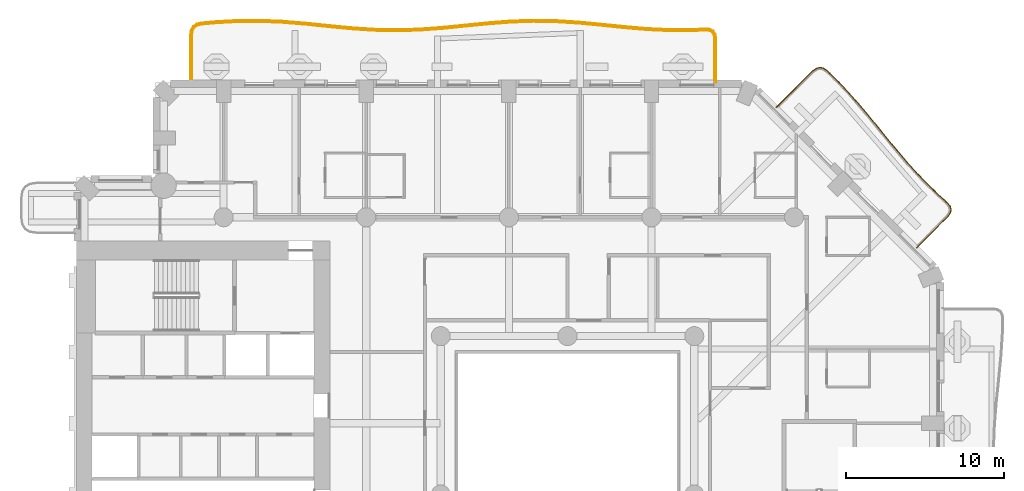
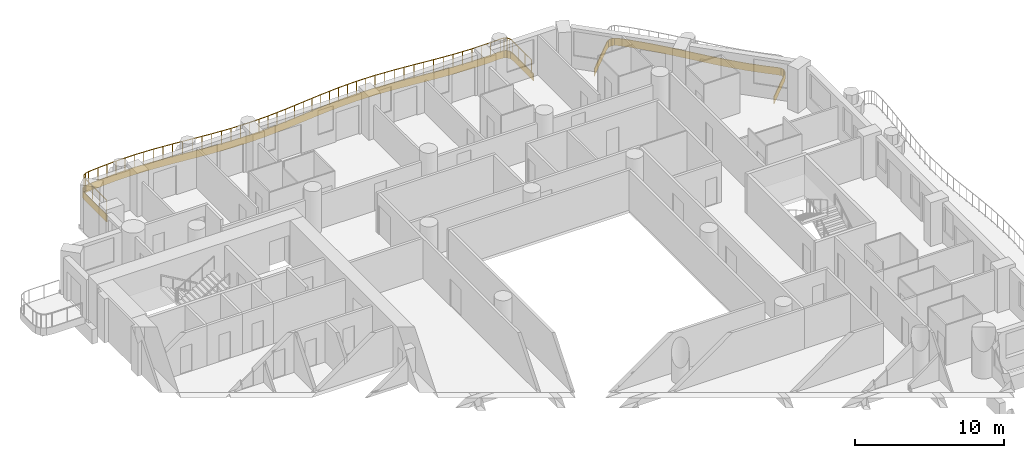
# One storey, part 18 of 20: 2 coverings, 1 railing.
"""IFC4 building model written with IfcOpenShell, lengths in metres."""

from ifc_helpers import new_model, si_unit, direction, frame, origin, origin_2d, place, context, subcontext, project, spatial, polyline, rectangle, outline, extrude, material, layer, layer_set, type_object, element, save


model = new_model("IFC4")

# Units and contexts
model_context = context("Model", 3, precision=1e-05, world=origin(), true_north=direction((0.0, 1.0)))
body_context = subcontext(model_context, "Body", "Model", "MODEL_VIEW")
ifc_project = project(units=[si_unit("LENGTHUNIT", "METRE"), si_unit("AREAUNIT", "SQUARE_METRE"), si_unit("VOLUMEUNIT", "CUBIC_METRE"), si_unit("PLANEANGLEUNIT", "RADIAN"), si_unit("MASSUNIT", "GRAM", prefix="KILO")], contexts=[model_context])

# Site, building, storey
site_placement = place(None, origin())
site = spatial("IfcSite", under=ifc_project, at=site_placement, CompositionType="ELEMENT")
building_placement = place(site_placement, origin())
building = spatial("IfcBuilding", under=site, at=building_placement, Name="Cypress Arch Tower", CompositionType="ELEMENT")
storey_placement = place(building_placement, frame((0.0, 0.0, 84.300048828125)))
storey = spatial("IfcBuildingStorey", under=building, at=storey_placement, Name="L15", CompositionType="ELEMENT", Elevation=84.300048828125)

# Coverings
ifc_material_1 = material(Name="White powder-coated aluminium fascia", Category="aluminium")
ifc_layer = layer(ifc_material_1, 0.050048828125)
ifc_layer_set = layer_set([ifc_layer], Name="Balcony fascia BF50")
covering_type = type_object("IfcCoveringType", Name="Balcony fascia BF50", PredefinedType="CLADDING", material=ifc_layer_set)
covering_1_placement = place(storey_placement, frame((0.0, 0.0, -0.60009765625)))
element("IfcCovering", 1, at=covering_1_placement, inside=storey, type_object=covering_type, Name="Balcony fascia L15-A07", PredefinedType="CLADDING", context=body_context, shape_type="SweptSolid", body=[
    extrude(outline(polyline([(16.455810546875, 26.74462890625), (16.687744140625, 26.918701171875), (16.931396484375, 26.98095703125), (17.176025390625, 26.92333984375), (17.4111328125, 26.753662109375), (17.963623046875, 26.2216796875), (18.9150390625, 25.21044921875), (19.82421875, 24.157470703125), (20.70751953125, 23.080322265625), (21.587158203125, 22.0009765625), (22.48583984375, 20.942138671875), (23.42236328125, 19.922119140625), (24.406494140625, 18.9501953125), (24.97607421875, 18.438720703125), (25.16064453125, 18.2177734375), (25.229736328125, 17.98193359375), (25.173583984375, 17.74267578125), (25.0009765625, 17.51220703125), (23.045166015625, 15.556396484375), (23.009765625, 15.591796875), (24.963134765625, 17.544921875), (25.127197265625, 17.764404296875), (25.177978515625, 17.98046875), (25.11572265625, 18.193603515625), (24.93994140625, 18.40380859375), (24.372314453125, 18.913818359375), (23.386474609375, 19.887451171875), (22.448486328125, 20.9091796875), (21.548583984375, 21.968994140625), (20.6689453125, 23.048583984375), (19.7861328125, 24.12548828125), (18.8779296875, 25.1767578125), (17.92822265625, 26.1865234375), (17.37890625, 26.71533203125), (17.15478515625, 26.876953125), (16.931884765625, 26.929443359375), (16.709716796875, 26.872802734375), (16.48876953125, 26.706787109375), (14.191650390625, 24.40966796875), (14.15625, 24.445068359375), (16.455810546875, 26.74462890625)])), origin(), (0.0, 0.0, 1.0), 0.60009765625),
])
covering_2_placement = place(storey_placement, frame((0.0, 0.0, -0.60009765625)))
element("IfcCovering", 2, at=covering_2_placement, inside=storey, type_object=covering_type, Name="Balcony fascia L15-A08", PredefinedType="CLADDING", context=body_context, shape_type="SweptSolid", body=[
    extrude(outline(polyline([(-22.800048828125, 29.020751953125), (-22.7578125, 29.32177734375), (-22.6259765625, 29.554443359375), (-22.406494140625, 29.706787109375), (-22.1103515625, 29.776611328125), (-21.314697265625, 29.849853515625), (-19.873291015625, 29.932861328125), (-18.431884765625, 29.946044921875), (-16.990478515625, 29.885986328125), (-15.5498046875, 29.767333984375), (-14.1103515625, 29.619873046875), (-12.671875, 29.47998046875), (-11.234619140625, 29.382080078125), (-9.798095703125, 29.35009765625), (-8.361328125, 29.392333984375), (-6.923828125, 29.498046875), (-5.4853515625, 29.641357421875), (-4.045654296875, 29.786865234375), (-2.60498046875, 29.8984375), (-1.16357421875, 29.94873046875), (0.278076171875, 29.925048828125), (1.71923828125, 29.833251953125), (3.1591796875, 29.6962890625), (4.59814453125, 29.5478515625), (6.035888671875, 29.4248046875), (7.472900390625, 29.357177734375), (8.909423828125, 29.36181640625), (9.703369140625, 29.40380859375), (10.00048828125, 29.376953125), (10.2236328125, 29.254638671875), (10.357421875, 29.038330078125), (10.39990234375, 28.742919921875), (10.39990234375, 26.0009765625), (10.35009765625, 26.0009765625), (10.35009765625, 28.7392578125), (10.3095703125, 29.02099609375), (10.18798828125, 29.21728515625), (9.98583984375, 29.328125), (9.702392578125, 29.353759765625), (8.910888671875, 29.31201171875), (7.4716796875, 29.30712890625), (6.03271484375, 29.374755859375), (4.593505859375, 29.498046875), (3.154296875, 29.646484375), (1.71533203125, 29.783447265625), (0.276123046875, 29.875), (-1.1630859375, 29.898681640625), (-2.602294921875, 29.8486328125), (-4.041259765625, 29.737060546875), (-5.48046875, 29.591552734375), (-6.919677734375, 29.4482421875), (-8.358642578125, 29.34228515625), (-9.7978515625, 29.30029296875), (-11.237060546875, 29.33203125), (-12.676025390625, 29.43017578125), (-14.115234375, 29.5703125), (-15.554443359375, 29.717529296875), (-16.993408203125, 29.8359375), (-18.4326171875, 29.89599609375), (-19.871826171875, 29.8828125), (-21.310791015625, 29.7998046875), (-22.102294921875, 29.72705078125), (-22.3857421875, 29.660400390625), (-22.588134765625, 29.519775390625), (-22.70947265625, 29.305419921875), (-22.75, 29.01708984375), (-22.75, 26.0009765625), (-22.800048828125, 26.0009765625), (-22.800048828125, 29.020751953125)])), origin(), (0.0, 0.0, 1.0), 0.60009765625),
])

# Railing
ifc_material_2 = material(Name="Powder-coated steel posts and rods, 100 mm clear between rods", Category="steel")
railing_type = type_object("IfcRailingType", Name="Balcony guard GR1100", PredefinedType="GUARDRAIL", material=ifc_material_2)
railing_placement = place(storey_placement, frame((-22.699951171875, 26.14990234375, 0.0)))
element("IfcRailing", 3, at=railing_placement, inside=storey, type_object=railing_type, Name="Balcony guard L15-A08", PredefinedType="GUARDRAIL", context=body_context, shape_type="SweptSolid", body=[
    extrude(rectangle(XDim=0.050048828125, YDim=0.050048828125, at=origin_2d()), frame((0.0, 0.0, 1.0751953125), z_axis=(0.0, 1.0, 0.0), x_axis=(-1.0, 0.0, 0.0)), (0.0, 0.0, 1.0), 2.86376953125),
    extrude(rectangle(XDim=0.050048828125, YDim=0.050048828125, at=origin_2d()), frame((0.0, 2.86376953125, 1.0751953125), z_axis=(0.13871673035, 0.990332100217, 0.0), x_axis=(-0.990332100217, 0.13871673035, 0.0)), (0.0, 0.0, 1.0), 0.278076171875),
    extrude(rectangle(XDim=0.050048828125, YDim=0.050048828125, at=origin_2d()), frame((0.03857421875, 3.13916015625, 1.0751953125), z_axis=(0.492520878241, 0.870300628804, 0.0), x_axis=(-0.870300628804, 0.492520878241, 0.0)), (0.0, 0.0, 1.0), 0.2255859375),
    extrude(rectangle(XDim=0.050048828125, YDim=0.050048828125, at=origin_2d()), frame((0.149658203125, 3.33544921875, 1.0751953125), z_axis=(0.821919206985, 0.569604088108, 0.0), x_axis=(-0.569604088108, 0.821919206985, 0.0)), (0.0, 0.0, 1.0), 0.225341796875),
    extrude(rectangle(XDim=0.050048828125, YDim=0.050048828125, at=origin_2d()), frame((0.3349609375, 3.4638671875, 1.0751953125), z_axis=(0.973405655855, 0.229088256247, 0.0), x_axis=(-0.229088256247, 0.973405655855, 0.0)), (0.0, 0.0, 1.0), 0.278076171875),
    extrude(rectangle(XDim=0.050048828125, YDim=0.050048828125, at=origin_2d()), frame((0.605712890625, 3.527587890625, 1.0751953125), z_axis=(0.995783623955, 0.091733168832, 0.0), x_axis=(-0.091733168832, 0.995783623955, 0.0)), (0.0, 0.0, 1.0), 0.79052734375),
    extrude(rectangle(XDim=0.050048828125, YDim=0.050048828125, at=origin_2d()), frame((1.392822265625, 3.60009765625, 1.0751953125), z_axis=(0.998335812911, 0.057668055792, 0.0), x_axis=(-0.057668055792, 0.998335812911, 0.0)), (0.0, 0.0, 1.0), 1.439453125),
    extrude(rectangle(XDim=0.050048828125, YDim=0.050048828125, at=origin_2d()), frame((2.829833984375, 3.68310546875, 1.0751953125), z_axis=(0.999959448923, 0.009005582123, 0.0), x_axis=(-0.009005582123, 0.999959448923, 0.0)), (0.0, 0.0, 1.0), 1.436767578125),
    extrude(rectangle(XDim=0.050048828125, YDim=0.050048828125, at=origin_2d()), frame((4.2666015625, 3.696044921875, 1.0751953125), z_axis=(0.999134543668, -0.041595235888, 0.0), x_axis=(0.041595235888, 0.999134543668, 0.0)), (0.0, 0.0, 1.0), 1.43798828125),
    extrude(rectangle(XDim=0.050048828125, YDim=0.050048828125, at=origin_2d()), frame((5.703369140625, 3.63623046875, 1.0751953125), z_axis=(0.996639652068, -0.081910951197, 0.0), x_axis=(0.081910951197, 0.996639652068, 0.0)), (0.0, 0.0, 1.0), 1.442626953125),
    extrude(rectangle(XDim=0.050048828125, YDim=0.050048828125, at=origin_2d()), frame((7.14111328125, 3.51806640625, 1.0751953125), z_axis=(0.994788465361, -0.101960331423, 0.0), x_axis=(0.101960331423, 0.994788465361, 0.0)), (0.0, 0.0, 1.0), 1.4462890625),
    extrude(rectangle(XDim=0.050048828125, YDim=0.050048828125, at=origin_2d()), frame((8.579833984375, 3.37060546875, 1.0751953125), z_axis=(0.995297676193, -0.096863490359, 0.0), x_axis=(0.096863490359, 0.995297676193, 0.0)), (0.0, 0.0, 1.0), 1.44677734375),
    extrude(rectangle(XDim=0.050048828125, YDim=0.050048828125, at=origin_2d()), frame((10.019775390625, 3.23046875, 1.0751953125), z_axis=(0.997688383516, -0.067955054248, 0.0), x_axis=(0.067955054248, 0.997688383516, 0.0)), (0.0, 0.0, 1.0), 1.4443359375),
    extrude(rectangle(XDim=0.050048828125, YDim=0.050048828125, at=origin_2d()), frame((11.460693359375, 3.13232421875, 1.0751953125), z_axis=(0.999754012792, -0.022179132206, 0.0), x_axis=(0.022179132206, 0.999754012792, 0.0)), (0.0, 0.0, 1.0), 1.44189453125),
    extrude(rectangle(XDim=0.050048828125, YDim=0.050048828125, at=origin_2d()), frame((12.90234375, 3.100341796875, 1.0751953125), z_axis=(0.999570967736, 0.029289596446, 0.0), x_axis=(-0.029289596446, 0.999570967736, 0.0)), (0.0, 0.0, 1.0), 1.442138671875),
    extrude(rectangle(XDim=0.050048828125, YDim=0.050048828125, at=origin_2d()), frame((14.34375, 3.142578125, 1.0751953125), z_axis=(0.997307261807, 0.073336386246, 0.0), x_axis=(-0.073336386246, 0.997307261807, 0.0)), (0.0, 0.0, 1.0), 1.44482421875),
    extrude(rectangle(XDim=0.050048828125, YDim=0.050048828125, at=origin_2d()), frame((15.78466796875, 3.24853515625, 1.0751953125), z_axis=(0.995083852887, 0.099035981968, 0.0), x_axis=(-0.099035981968, 0.995083852887, 0.0)), (0.0, 0.0, 1.0), 1.447021484375),
    extrude(rectangle(XDim=0.050048828125, YDim=0.050048828125, at=origin_2d()), frame((17.224609375, 3.391845703125, 1.0751953125), z_axis=(0.994922852849, 0.100640532977, 0.0), x_axis=(-0.100640532977, 0.994922852849, 0.0)), (0.0, 0.0, 1.0), 1.44580078125),
    extrude(rectangle(XDim=0.050048828125, YDim=0.050048828125, at=origin_2d()), frame((18.6630859375, 3.537353515625, 1.0751953125), z_axis=(0.997014508637, 0.077214438848, 0.0), x_axis=(-0.077214438848, 0.997014508637, 0.0)), (0.0, 0.0, 1.0), 1.44189453125),
    extrude(rectangle(XDim=0.050048828125, YDim=0.050048828125, at=origin_2d()), frame((20.1005859375, 3.648681640625, 1.0751953125), z_axis=(0.999393836513, 0.034813209258, 0.0), x_axis=(-0.034813209258, 0.999393836513, 0.0)), (0.0, 0.0, 1.0), 1.437744140625),
    extrude(rectangle(XDim=0.050048828125, YDim=0.050048828125, at=origin_2d()), frame((21.537353515625, 3.69873046875, 1.0751953125), z_axis=(0.999866975121, -0.016310489314, 0.0), x_axis=(0.016310489314, 0.999866975121, 0.0)), (0.0, 0.0, 1.0), 1.43701171875),
    extrude(rectangle(XDim=0.050048828125, YDim=0.050048828125, at=origin_2d()), frame((22.97412109375, 3.67529296875, 1.0751953125), z_axis=(0.997976643693, -0.063581590449, 0.0), x_axis=(0.063581590449, 0.997976643693, 0.0)), (0.0, 0.0, 1.0), 1.43994140625),
    extrude(rectangle(XDim=0.050048828125, YDim=0.050048828125, at=origin_2d()), frame((24.4111328125, 3.583740234375, 1.0751953125), z_axis=(0.995496232049, -0.094801118007, 0.0), x_axis=(0.094801118007, 0.995496232049, 0.0)), (0.0, 0.0, 1.0), 1.44482421875),
    extrude(rectangle(XDim=0.050048828125, YDim=0.050048828125, at=origin_2d()), frame((25.849365234375, 3.44677734375, 1.0751953125), z_axis=(0.994725087, -0.102576806801, 0.0), x_axis=(0.102576806801, 0.994725087, 0.0)), (0.0, 0.0, 1.0), 1.447021484375),
    extrude(rectangle(XDim=0.050048828125, YDim=0.050048828125, at=origin_2d()), frame((27.288818359375, 3.29833984375, 1.0751953125), z_axis=(0.996356905666, -0.085281396163, 0.0), x_axis=(0.085281396163, 0.996356905666, 0.0)), (0.0, 0.0, 1.0), 1.44580078125),
    extrude(rectangle(XDim=0.050048828125, YDim=0.050048828125, at=origin_2d()), frame((28.729248046875, 3.175048828125, 1.0751953125), z_axis=(0.998893260383, -0.047034608128, 0.0), x_axis=(0.047034608128, 0.998893260383, 0.0)), (0.0, 0.0, 1.0), 1.443115234375),
    extrude(rectangle(XDim=0.050048828125, YDim=0.050048828125, at=origin_2d()), frame((30.170654296875, 3.107177734375, 1.0751953125), z_axis=(0.9999942643, 0.003386940777, 0.0), x_axis=(-0.003386940777, 0.9999942643, 0.0)), (0.0, 0.0, 1.0), 1.441650390625),
    extrude(rectangle(XDim=0.050048828125, YDim=0.050048828125, at=origin_2d()), frame((31.6123046875, 3.112060546875, 1.0751953125), z_axis=(0.998619535871, 0.052526398855, 0.0), x_axis=(-0.052526398855, 0.998619535871, 0.0)), (0.0, 0.0, 1.0), 0.7900390625),
    extrude(rectangle(XDim=0.050048828125, YDim=0.050048828125, at=origin_2d()), frame((32.4013671875, 3.153564453125, 1.0751953125), z_axis=(0.996003382405, -0.089315520705, 0.0), x_axis=(0.089315520705, 0.996003382405, 0.0)), (0.0, 0.0, 1.0), 0.2705078125),
    extrude(rectangle(XDim=0.050048828125, YDim=0.050048828125, at=origin_2d()), frame((32.6708984375, 3.12939453125, 1.0751953125), z_axis=(0.876812408671, -0.480832611207, 0.0), x_axis=(0.480832611207, 0.876812408671, 0.0)), (0.0, 0.0, 1.0), 0.207275390625),
    extrude(rectangle(XDim=0.050048828125, YDim=0.050048828125, at=origin_2d()), frame((32.8525390625, 3.02978515625, 1.0751953125), z_axis=(0.525543053659, -0.850767006148, 0.0), x_axis=(0.850767006148, 0.525543053659, 0.0)), (0.0, 0.0, 1.0), 0.207275390625),
    extrude(rectangle(XDim=0.050048828125, YDim=0.050048828125, at=origin_2d()), frame((32.96142578125, 2.853515625, 1.0751953125), z_axis=(0.142685543184, -0.989768071705, 0.0), x_axis=(0.989768071705, 0.142685543184, 0.0)), (0.0, 0.0, 1.0), 0.270263671875),
    extrude(rectangle(XDim=0.050048828125, YDim=0.050048828125, at=origin_2d()), frame((33.0, 2.5859375, 1.0751953125), z_axis=(0.0, -1.0, 0.0), x_axis=(1.0, 0.0, 0.0)), (0.0, 0.0, 1.0), 2.5859375),
    extrude(rectangle(XDim=0.0400390625, YDim=0.0400390625, at=origin_2d()), origin(), (0.0, 0.0, 1.0), 1.050048828125),
    extrude(rectangle(XDim=0.0400390625, YDim=0.0400390625, at=origin_2d()), frame((0.0, 0.95458984375, 0.0)), (0.0, 0.0, 1.0), 1.050048828125),
    extrude(rectangle(XDim=0.0400390625, YDim=0.0400390625, at=origin_2d()), frame((0.0, 1.9091796875, 0.0)), (0.0, 0.0, 1.0), 1.050048828125),
    extrude(rectangle(XDim=0.0400390625, YDim=0.0400390625, at=origin_2d()), frame((0.0, 2.86376953125, 0.0)), (0.0, 0.0, 1.0), 1.050048828125),
    extrude(rectangle(XDim=0.0400390625, YDim=0.0400390625, at=origin_2d()), frame((0.03857421875, 3.13916015625, 0.0)), (0.0, 0.0, 1.0), 1.050048828125),
    extrude(rectangle(XDim=0.0400390625, YDim=0.0400390625, at=origin_2d()), frame((0.149658203125, 3.33544921875, 0.0)), (0.0, 0.0, 1.0), 1.050048828125),
    extrude(rectangle(XDim=0.0400390625, YDim=0.0400390625, at=origin_2d()), frame((0.3349609375, 3.4638671875, 0.0)), (0.0, 0.0, 1.0), 1.050048828125),
    extrude(rectangle(XDim=0.0400390625, YDim=0.0400390625, at=origin_2d()), frame((0.605712890625, 3.527587890625, 0.0)), (0.0, 0.0, 1.0), 1.050048828125),
    extrude(rectangle(XDim=0.0400390625, YDim=0.0400390625, at=origin_2d()), frame((1.392822265625, 3.60009765625, 0.0)), (0.0, 0.0, 1.0), 1.050048828125),
    extrude(rectangle(XDim=0.0400390625, YDim=0.0400390625, at=origin_2d()), frame((2.111328125, 3.6416015625, 0.0)), (0.0, 0.0, 1.0), 1.050048828125),
    extrude(rectangle(XDim=0.0400390625, YDim=0.0400390625, at=origin_2d()), frame((2.829833984375, 3.68310546875, 0.0)), (0.0, 0.0, 1.0), 1.050048828125),
    extrude(rectangle(XDim=0.0400390625, YDim=0.0400390625, at=origin_2d()), frame((3.54833984375, 3.689453125, 0.0)), (0.0, 0.0, 1.0), 1.050048828125),
    extrude(rectangle(XDim=0.0400390625, YDim=0.0400390625, at=origin_2d()), frame((4.2666015625, 3.696044921875, 0.0)), (0.0, 0.0, 1.0), 1.050048828125),
    extrude(rectangle(XDim=0.0400390625, YDim=0.0400390625, at=origin_2d()), frame((4.98486328125, 3.666015625, 0.0)), (0.0, 0.0, 1.0), 1.050048828125),
    extrude(rectangle(XDim=0.0400390625, YDim=0.0400390625, at=origin_2d()), frame((5.703369140625, 3.63623046875, 0.0)), (0.0, 0.0, 1.0), 1.050048828125),
    extrude(rectangle(XDim=0.0400390625, YDim=0.0400390625, at=origin_2d()), frame((6.42236328125, 3.5771484375, 0.0)), (0.0, 0.0, 1.0), 1.050048828125),
    extrude(rectangle(XDim=0.0400390625, YDim=0.0400390625, at=origin_2d()), frame((7.14111328125, 3.51806640625, 0.0)), (0.0, 0.0, 1.0), 1.050048828125),
    extrude(rectangle(XDim=0.0400390625, YDim=0.0400390625, at=origin_2d()), frame((7.8603515625, 3.4443359375, 0.0)), (0.0, 0.0, 1.0), 1.050048828125),
    extrude(rectangle(XDim=0.0400390625, YDim=0.0400390625, at=origin_2d()), frame((8.579833984375, 3.37060546875, 0.0)), (0.0, 0.0, 1.0), 1.050048828125),
    extrude(rectangle(XDim=0.0400390625, YDim=0.0400390625, at=origin_2d()), frame((9.2998046875, 3.300537109375, 0.0)), (0.0, 0.0, 1.0), 1.050048828125),
    extrude(rectangle(XDim=0.0400390625, YDim=0.0400390625, at=origin_2d()), frame((10.019775390625, 3.23046875, 0.0)), (0.0, 0.0, 1.0), 1.050048828125),
    extrude(rectangle(XDim=0.0400390625, YDim=0.0400390625, at=origin_2d()), frame((10.740234375, 3.181396484375, 0.0)), (0.0, 0.0, 1.0), 1.050048828125),
    extrude(rectangle(XDim=0.0400390625, YDim=0.0400390625, at=origin_2d()), frame((11.460693359375, 3.13232421875, 0.0)), (0.0, 0.0, 1.0), 1.050048828125),
    extrude(rectangle(XDim=0.0400390625, YDim=0.0400390625, at=origin_2d()), frame((12.181640625, 3.1162109375, 0.0)), (0.0, 0.0, 1.0), 1.050048828125),
    extrude(rectangle(XDim=0.0400390625, YDim=0.0400390625, at=origin_2d()), frame((12.90234375, 3.100341796875, 0.0)), (0.0, 0.0, 1.0), 1.050048828125),
    extrude(rectangle(XDim=0.0400390625, YDim=0.0400390625, at=origin_2d()), frame((13.623046875, 3.12158203125, 0.0)), (0.0, 0.0, 1.0), 1.050048828125),
    extrude(rectangle(XDim=0.0400390625, YDim=0.0400390625, at=origin_2d()), frame((14.34375, 3.142578125, 0.0)), (0.0, 0.0, 1.0), 1.050048828125),
    extrude(rectangle(XDim=0.0400390625, YDim=0.0400390625, at=origin_2d()), frame((15.064208984375, 3.195556640625, 0.0)), (0.0, 0.0, 1.0), 1.050048828125),
    extrude(rectangle(XDim=0.0400390625, YDim=0.0400390625, at=origin_2d()), frame((15.78466796875, 3.24853515625, 0.0)), (0.0, 0.0, 1.0), 1.050048828125),
    extrude(rectangle(XDim=0.0400390625, YDim=0.0400390625, at=origin_2d()), frame((16.504638671875, 3.3203125, 0.0)), (0.0, 0.0, 1.0), 1.050048828125),
    extrude(rectangle(XDim=0.0400390625, YDim=0.0400390625, at=origin_2d()), frame((17.224609375, 3.391845703125, 0.0)), (0.0, 0.0, 1.0), 1.050048828125),
    extrude(rectangle(XDim=0.0400390625, YDim=0.0400390625, at=origin_2d()), frame((17.94384765625, 3.464599609375, 0.0)), (0.0, 0.0, 1.0), 1.050048828125),
    extrude(rectangle(XDim=0.0400390625, YDim=0.0400390625, at=origin_2d()), frame((18.6630859375, 3.537353515625, 0.0)), (0.0, 0.0, 1.0), 1.050048828125),
    extrude(rectangle(XDim=0.0400390625, YDim=0.0400390625, at=origin_2d()), frame((19.3818359375, 3.593017578125, 0.0)), (0.0, 0.0, 1.0), 1.050048828125),
    extrude(rectangle(XDim=0.0400390625, YDim=0.0400390625, at=origin_2d()), frame((20.1005859375, 3.648681640625, 0.0)), (0.0, 0.0, 1.0), 1.050048828125),
    extrude(rectangle(XDim=0.0400390625, YDim=0.0400390625, at=origin_2d()), frame((20.81884765625, 3.673828125, 0.0)), (0.0, 0.0, 1.0), 1.050048828125),
    extrude(rectangle(XDim=0.0400390625, YDim=0.0400390625, at=origin_2d()), frame((21.537353515625, 3.69873046875, 0.0)), (0.0, 0.0, 1.0), 1.050048828125),
    extrude(rectangle(XDim=0.0400390625, YDim=0.0400390625, at=origin_2d()), frame((22.255859375, 3.68701171875, 0.0)), (0.0, 0.0, 1.0), 1.050048828125),
    extrude(rectangle(XDim=0.0400390625, YDim=0.0400390625, at=origin_2d()), frame((22.97412109375, 3.67529296875, 0.0)), (0.0, 0.0, 1.0), 1.050048828125),
    extrude(rectangle(XDim=0.0400390625, YDim=0.0400390625, at=origin_2d()), frame((23.692626953125, 3.62939453125, 0.0)), (0.0, 0.0, 1.0), 1.050048828125),
    extrude(rectangle(XDim=0.0400390625, YDim=0.0400390625, at=origin_2d()), frame((24.4111328125, 3.583740234375, 0.0)), (0.0, 0.0, 1.0), 1.050048828125),
    extrude(rectangle(XDim=0.0400390625, YDim=0.0400390625, at=origin_2d()), frame((25.13037109375, 3.51513671875, 0.0)), (0.0, 0.0, 1.0), 1.050048828125),
    extrude(rectangle(XDim=0.0400390625, YDim=0.0400390625, at=origin_2d()), frame((25.849365234375, 3.44677734375, 0.0)), (0.0, 0.0, 1.0), 1.050048828125),
    extrude(rectangle(XDim=0.0400390625, YDim=0.0400390625, at=origin_2d()), frame((26.569091796875, 3.37255859375, 0.0)), (0.0, 0.0, 1.0), 1.050048828125),
    extrude(rectangle(XDim=0.0400390625, YDim=0.0400390625, at=origin_2d()), frame((27.288818359375, 3.29833984375, 0.0)), (0.0, 0.0, 1.0), 1.050048828125),
    extrude(rectangle(XDim=0.0400390625, YDim=0.0400390625, at=origin_2d()), frame((28.009033203125, 3.23681640625, 0.0)), (0.0, 0.0, 1.0), 1.050048828125),
    extrude(rectangle(XDim=0.0400390625, YDim=0.0400390625, at=origin_2d()), frame((28.729248046875, 3.175048828125, 0.0)), (0.0, 0.0, 1.0), 1.050048828125),
    extrude(rectangle(XDim=0.0400390625, YDim=0.0400390625, at=origin_2d()), frame((29.449951171875, 3.14111328125, 0.0)), (0.0, 0.0, 1.0), 1.050048828125),
    extrude(rectangle(XDim=0.0400390625, YDim=0.0400390625, at=origin_2d()), frame((30.170654296875, 3.107177734375, 0.0)), (0.0, 0.0, 1.0), 1.050048828125),
    extrude(rectangle(XDim=0.0400390625, YDim=0.0400390625, at=origin_2d()), frame((30.8916015625, 3.109619140625, 0.0)), (0.0, 0.0, 1.0), 1.050048828125),
    extrude(rectangle(XDim=0.0400390625, YDim=0.0400390625, at=origin_2d()), frame((31.6123046875, 3.112060546875, 0.0)), (0.0, 0.0, 1.0), 1.050048828125),
    extrude(rectangle(XDim=0.0400390625, YDim=0.0400390625, at=origin_2d()), frame((32.4013671875, 3.153564453125, 0.0)), (0.0, 0.0, 1.0), 1.050048828125),
    extrude(rectangle(XDim=0.0400390625, YDim=0.0400390625, at=origin_2d()), frame((32.6708984375, 3.12939453125, 0.0)), (0.0, 0.0, 1.0), 1.050048828125),
    extrude(rectangle(XDim=0.0400390625, YDim=0.0400390625, at=origin_2d()), frame((32.8525390625, 3.02978515625, 0.0)), (0.0, 0.0, 1.0), 1.050048828125),
    extrude(rectangle(XDim=0.0400390625, YDim=0.0400390625, at=origin_2d()), frame((32.96142578125, 2.853515625, 0.0)), (0.0, 0.0, 1.0), 1.050048828125),
    extrude(rectangle(XDim=0.0400390625, YDim=0.0400390625, at=origin_2d()), frame((33.0, 2.5859375, 0.0)), (0.0, 0.0, 1.0), 1.050048828125),
    extrude(rectangle(XDim=0.0400390625, YDim=0.0400390625, at=origin_2d()), frame((33.0, 1.723876953125, 0.0)), (0.0, 0.0, 1.0), 1.050048828125),
    extrude(rectangle(XDim=0.0400390625, YDim=0.0400390625, at=origin_2d()), frame((33.0, 0.862060546875, 0.0)), (0.0, 0.0, 1.0), 1.050048828125),
    extrude(rectangle(XDim=0.0400390625, YDim=0.0400390625, at=origin_2d()), frame((33.0, 0.0, 0.0)), (0.0, 0.0, 1.0), 1.050048828125),
])

save(model, "model.ifc")
